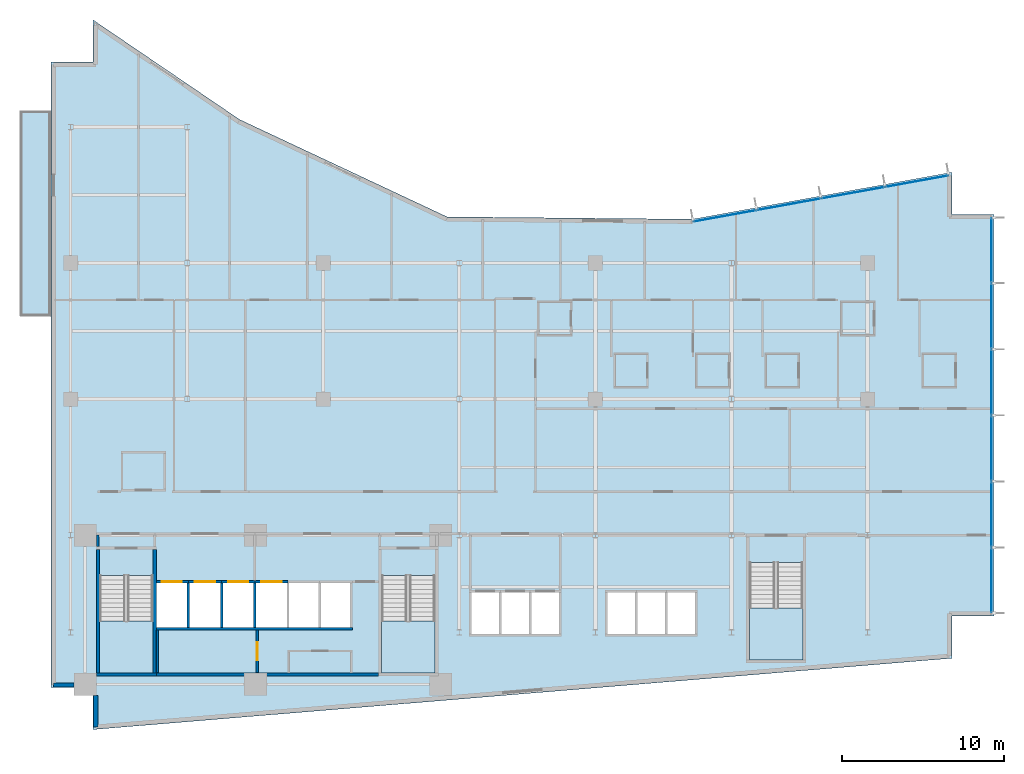
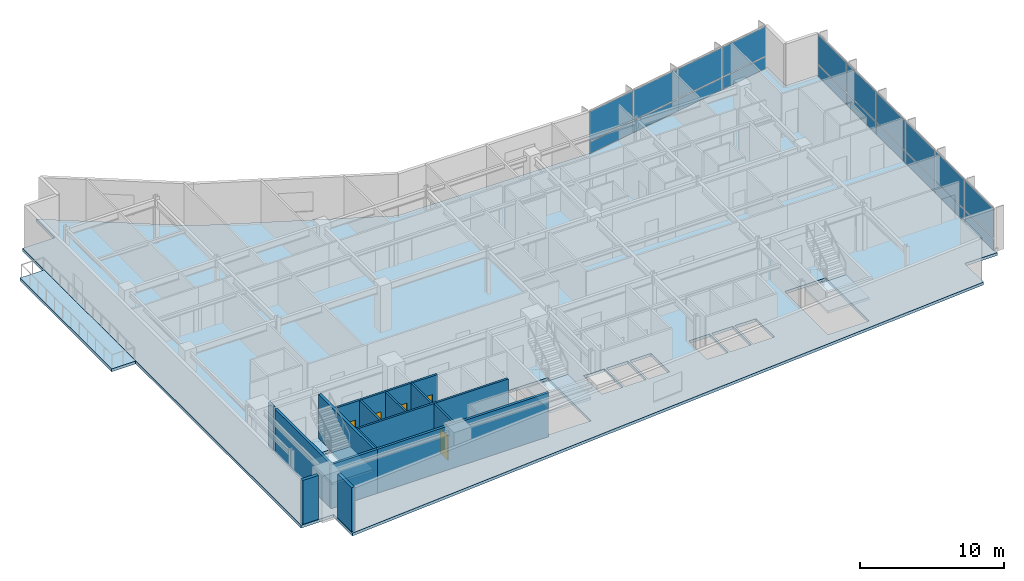
# One storey, part 12 of 22: 20 plates, 17 walls, 5 doors, 5 slabs, 5 openings, 5 elements without a shape of their own.
"""IFC4 building model written with IfcOpenShell, lengths in metres."""

from ifc_helpers import new_model, si_unit, direction, frame, frame_2d, origin, origin_2d, place, context, subcontext, project, spatial, polyline, rectangle, outline, extrude, material, layer, layer_set, type_object, element, fill, aggregate, save


model = new_model("IFC4")

# Units and contexts
model_context = context("Model", 3, precision=1e-05, world=origin(), true_north=direction((0.0, 1.0)))
body_context = subcontext(model_context, "Body", "Model", "MODEL_VIEW")
ifc_project = project(units=[si_unit("LENGTHUNIT", "METRE"), si_unit("AREAUNIT", "SQUARE_METRE"), si_unit("VOLUMEUNIT", "CUBIC_METRE"), si_unit("PLANEANGLEUNIT", "RADIAN"), si_unit("MASSUNIT", "GRAM", prefix="KILO")], contexts=[model_context])

# Site, building, storey
site_placement = place(None, origin())
site = spatial("IfcSite", under=ifc_project, at=site_placement, CompositionType="ELEMENT")
building_placement = place(site_placement, origin())
building = spatial("IfcBuilding", under=site, at=building_placement, Name="Varnakote Quay Hospital", CompositionType="ELEMENT")
storey_placement = place(building_placement, frame((0.0, 0.0, 62.0)))
storey = spatial("IfcBuildingStorey", under=building, at=storey_placement, Name="L15", CompositionType="ELEMENT", Elevation=62.0)

# Curtain wall, plates
ifc_material_1 = material(Name="Anodised aluminium 6063-T6 Bronze", Category="aluminium")
ifc_layer_1 = layer(ifc_material_1, 0.18994140625)
ifc_layer_set_1 = layer_set([ifc_layer_1], Name="Anodised aluminium 6063-T6 Bronze")
curtain_wall_type = type_object("IfcCurtainWallType", Name="CW-SYS-2", PredefinedType="NOTDEFINED", material=ifc_layer_set_1)
curtain_wall_1_placement = place(storey_placement, origin())
curtain_wall_1 = element("IfcCurtainWall", 1, at=curtain_wall_1_placement, inside=storey, type_object=curtain_wall_type, Name="L15 Unitised Bronze Curtain Wall 1", PredefinedType="NOTDEFINED")
ifc_material_2 = material(Name="Double-glazed acoustic laminated glass", Category="glass")
ifc_layer_2 = layer(ifc_material_2, 0.031982421875)
ifc_layer_set_2 = layer_set([ifc_layer_2], Name="Double-glazed acoustic laminated glass")
plate_type = type_object("IfcPlateType", Name="CW-PNL-GLZ-32", PredefinedType="CURTAIN_PANEL", material=ifc_layer_set_2)
plate_1_placement = place(storey_placement, frame((58.0400390625, 9.21875, 0.0751953125), z_axis=(0.0, 0.0, 1.0), x_axis=(0.0, 1.0, 0.0)))
plate_1 = element("IfcPlate", 2, at=plate_1_placement, type_object=plate_type, Name="-2-L15-1 panel 1.1", PredefinedType="CURTAIN_PANEL", context=body_context, shape_type="SweptSolid", body=[
    extrude(rectangle(XDim=3.967529296875, YDim=0.031982421875, at=origin_2d()), origin(), (0.0, 0.0, 1.0), 0.987548828125),
])
plate_2_placement = place(storey_placement, frame((58.0400390625, 9.21875, 1.137451171875), z_axis=(0.0, 0.0, 1.0), x_axis=(0.0, 1.0, 0.0)))
plate_2 = element("IfcPlate", 3, at=plate_2_placement, type_object=plate_type, Name="-2-L15-1 panel 1.2", PredefinedType="CURTAIN_PANEL", context=body_context, shape_type="SweptSolid", body=[
    extrude(rectangle(XDim=3.967529296875, YDim=0.031982421875, at=origin_2d()), origin(), (0.0, 0.0, 1.0), 2.49755859375),
])
plate_3_placement = place(storey_placement, frame((58.0400390625, 13.280029296875, 0.0751953125), z_axis=(0.0, 0.0, 1.0), x_axis=(0.0, 1.0, 0.0)))
plate_3 = element("IfcPlate", 4, at=plate_3_placement, type_object=plate_type, Name="-2-L15-1 panel 2.1", PredefinedType="CURTAIN_PANEL", context=body_context, shape_type="SweptSolid", body=[
    extrude(rectangle(XDim=4.0048828125, YDim=0.031982421875, at=origin_2d()), origin(), (0.0, 0.0, 1.0), 0.987548828125),
])
plate_4_placement = place(storey_placement, frame((58.0400390625, 13.280029296875, 1.137451171875), z_axis=(0.0, 0.0, 1.0), x_axis=(0.0, 1.0, 0.0)))
plate_4 = element("IfcPlate", 5, at=plate_4_placement, type_object=plate_type, Name="-2-L15-1 panel 2.2", PredefinedType="CURTAIN_PANEL", context=body_context, shape_type="SweptSolid", body=[
    extrude(rectangle(XDim=4.0048828125, YDim=0.031982421875, at=origin_2d()), origin(), (0.0, 0.0, 1.0), 2.49755859375),
])
plate_5_placement = place(storey_placement, frame((58.0400390625, 17.360107421875, 0.0751953125), z_axis=(0.0, 0.0, 1.0), x_axis=(0.0, 1.0, 0.0)))
plate_5 = element("IfcPlate", 6, at=plate_5_placement, type_object=plate_type, Name="-2-L15-1 panel 3.1", PredefinedType="CURTAIN_PANEL", context=body_context, shape_type="SweptSolid", body=[
    extrude(rectangle(XDim=4.0048828125, YDim=0.031982421875, at=origin_2d()), origin(), (0.0, 0.0, 1.0), 0.987548828125),
])
plate_6_placement = place(storey_placement, frame((58.0400390625, 17.360107421875, 1.137451171875), z_axis=(0.0, 0.0, 1.0), x_axis=(0.0, 1.0, 0.0)))
plate_6 = element("IfcPlate", 7, at=plate_6_placement, type_object=plate_type, Name="-2-L15-1 panel 3.2", PredefinedType="CURTAIN_PANEL", context=body_context, shape_type="SweptSolid", body=[
    extrude(rectangle(XDim=4.0048828125, YDim=0.031982421875, at=origin_2d()), origin(), (0.0, 0.0, 1.0), 2.49755859375),
])
plate_7_placement = place(storey_placement, frame((58.0400390625, 21.43994140625, 0.0751953125), z_axis=(0.0, 0.0, 1.0), x_axis=(0.0, 1.0, 0.0)))
plate_7 = element("IfcPlate", 8, at=plate_7_placement, type_object=plate_type, Name="-2-L15-1 panel 4.1", PredefinedType="CURTAIN_PANEL", context=body_context, shape_type="SweptSolid", body=[
    extrude(rectangle(XDim=4.0048828125, YDim=0.031982421875, at=origin_2d()), origin(), (0.0, 0.0, 1.0), 0.987548828125),
])
plate_8_placement = place(storey_placement, frame((58.0400390625, 21.43994140625, 1.137451171875), z_axis=(0.0, 0.0, 1.0), x_axis=(0.0, 1.0, 0.0)))
plate_8 = element("IfcPlate", 9, at=plate_8_placement, type_object=plate_type, Name="-2-L15-1 panel 4.2", PredefinedType="CURTAIN_PANEL", context=body_context, shape_type="SweptSolid", body=[
    extrude(rectangle(XDim=4.0048828125, YDim=0.031982421875, at=origin_2d()), origin(), (0.0, 0.0, 1.0), 2.49755859375),
])
plate_9_placement = place(storey_placement, frame((58.0400390625, 25.52001953125, 0.0751953125), z_axis=(0.0, 0.0, 1.0), x_axis=(0.0, 1.0, 0.0)))
plate_9 = element("IfcPlate", 10, at=plate_9_placement, type_object=plate_type, Name="-2-L15-1 panel 5.1", PredefinedType="CURTAIN_PANEL", context=body_context, shape_type="SweptSolid", body=[
    extrude(rectangle(XDim=4.0048828125, YDim=0.031982421875, at=origin_2d()), origin(), (0.0, 0.0, 1.0), 0.987548828125),
])
plate_10_placement = place(storey_placement, frame((58.0400390625, 25.52001953125, 1.137451171875), z_axis=(0.0, 0.0, 1.0), x_axis=(0.0, 1.0, 0.0)))
plate_10 = element("IfcPlate", 11, at=plate_10_placement, type_object=plate_type, Name="-2-L15-1 panel 5.2", PredefinedType="CURTAIN_PANEL", context=body_context, shape_type="SweptSolid", body=[
    extrude(rectangle(XDim=4.0048828125, YDim=0.031982421875, at=origin_2d()), origin(), (0.0, 0.0, 1.0), 2.49755859375),
])
plate_11_placement = place(storey_placement, frame((58.0400390625, 29.581298828125, 0.0751953125), z_axis=(0.0, 0.0, 1.0), x_axis=(0.0, 1.0, 0.0)))
plate_11 = element("IfcPlate", 12, at=plate_11_placement, type_object=plate_type, Name="-2-L15-1 panel 6.1", PredefinedType="CURTAIN_PANEL", context=body_context, shape_type="SweptSolid", body=[
    extrude(rectangle(XDim=3.967529296875, YDim=0.031982421875, at=origin_2d()), origin(), (0.0, 0.0, 1.0), 0.987548828125),
])
plate_12_placement = place(storey_placement, frame((58.0400390625, 29.581298828125, 1.137451171875), z_axis=(0.0, 0.0, 1.0), x_axis=(0.0, 1.0, 0.0)))
plate_12 = element("IfcPlate", 13, at=plate_12_placement, type_object=plate_type, Name="-2-L15-1 panel 6.2", PredefinedType="CURTAIN_PANEL", context=body_context, shape_type="SweptSolid", body=[
    extrude(rectangle(XDim=3.967529296875, YDim=0.031982421875, at=origin_2d()), origin(), (0.0, 0.0, 1.0), 2.49755859375),
])
aggregate(curtain_wall_1, [plate_1, plate_2, plate_3, plate_4, plate_5, plate_6, plate_7, plate_8, plate_9, plate_10, plate_11, plate_12])

curtain_wall_2_placement = place(storey_placement, origin())
curtain_wall_2 = element("IfcCurtainWall", 14, at=curtain_wall_2_placement, inside=storey, type_object=curtain_wall_type, Name="L15 Unitised Bronze Curtain Wall 2", PredefinedType="NOTDEFINED")
plate_13_placement = place(storey_placement, frame((53.440185546875, 33.84716796875, 0.0751953125), z_axis=(0.0, 0.0, 1.0), x_axis=(-0.984058295766, -0.177846199098, 0.0)))
plate_13 = element("IfcPlate", 15, at=plate_13_placement, type_object=plate_type, Name="-2-L15-2 panel 1.1", PredefinedType="CURTAIN_PANEL", context=body_context, shape_type="SweptSolid", body=[
    extrude(rectangle(XDim=3.914306640625, YDim=0.031982421875, at=origin_2d()), origin(), (0.0, 0.0, 1.0), 0.987548828125),
])
plate_14_placement = place(storey_placement, frame((53.440185546875, 33.84716796875, 1.137451171875), z_axis=(0.0, 0.0, 1.0), x_axis=(-0.984058295766, -0.177846199098, 0.0)))
plate_14 = element("IfcPlate", 16, at=plate_14_placement, type_object=plate_type, Name="-2-L15-2 panel 1.2", PredefinedType="CURTAIN_PANEL", context=body_context, shape_type="SweptSolid", body=[
    extrude(rectangle(XDim=3.914306640625, YDim=0.031982421875, at=origin_2d()), origin(), (0.0, 0.0, 1.0), 2.49755859375),
])
plate_15_placement = place(storey_placement, frame((49.49609375, 33.13427734375, 0.0751953125), z_axis=(0.0, 0.0, 1.0), x_axis=(-0.984058295766, -0.177846199098, 0.0)))
plate_15 = element("IfcPlate", 17, at=plate_15_placement, type_object=plate_type, Name="-2-L15-2 panel 2.1", PredefinedType="CURTAIN_PANEL", context=body_context, shape_type="SweptSolid", body=[
    extrude(rectangle(XDim=3.951904296875, YDim=0.031982421875, at=origin_2d()), origin(), (0.0, 0.0, 1.0), 0.987548828125),
])
plate_16_placement = place(storey_placement, frame((49.49609375, 33.13427734375, 1.137451171875), z_axis=(0.0, 0.0, 1.0), x_axis=(-0.984058295766, -0.177846199098, 0.0)))
plate_16 = element("IfcPlate", 18, at=plate_16_placement, type_object=plate_type, Name="-2-L15-2 panel 2.2", PredefinedType="CURTAIN_PANEL", context=body_context, shape_type="SweptSolid", body=[
    extrude(rectangle(XDim=3.951904296875, YDim=0.031982421875, at=origin_2d()), origin(), (0.0, 0.0, 1.0), 2.49755859375),
])
plate_17_placement = place(storey_placement, frame((45.533447265625, 32.418212890625, 0.0751953125), z_axis=(0.0, 0.0, 1.0), x_axis=(-0.984058295766, -0.177846199098, 0.0)))
plate_17 = element("IfcPlate", 19, at=plate_17_placement, type_object=plate_type, Name="-2-L15-2 panel 3.1", PredefinedType="CURTAIN_PANEL", context=body_context, shape_type="SweptSolid", body=[
    extrude(rectangle(XDim=3.951904296875, YDim=0.031982421875, at=origin_2d()), origin(), (0.0, 0.0, 1.0), 0.987548828125),
])
plate_18_placement = place(storey_placement, frame((45.533447265625, 32.418212890625, 1.137451171875), z_axis=(0.0, 0.0, 1.0), x_axis=(-0.984058295766, -0.177846199098, 0.0)))
plate_18 = element("IfcPlate", 20, at=plate_18_placement, type_object=plate_type, Name="-2-L15-2 panel 3.2", PredefinedType="CURTAIN_PANEL", context=body_context, shape_type="SweptSolid", body=[
    extrude(rectangle(XDim=3.951904296875, YDim=0.031982421875, at=origin_2d()), origin(), (0.0, 0.0, 1.0), 2.49755859375),
])
plate_19_placement = place(storey_placement, frame((41.58935546875, 31.705322265625, 0.0751953125), z_axis=(0.0, 0.0, 1.0), x_axis=(-0.984058295766, -0.177846199098, 0.0)))
plate_19 = element("IfcPlate", 21, at=plate_19_placement, type_object=plate_type, Name="-2-L15-2 panel 4.1", PredefinedType="CURTAIN_PANEL", context=body_context, shape_type="SweptSolid", body=[
    extrude(rectangle(XDim=3.914306640625, YDim=0.031982421875, at=origin_2d()), origin(), (0.0, 0.0, 1.0), 0.987548828125),
])
plate_20_placement = place(storey_placement, frame((41.58935546875, 31.705322265625, 1.137451171875), z_axis=(0.0, 0.0, 1.0), x_axis=(-0.984058295766, -0.177846199098, 0.0)))
plate_20 = element("IfcPlate", 22, at=plate_20_placement, type_object=plate_type, Name="-2-L15-2 panel 4.2", PredefinedType="CURTAIN_PANEL", context=body_context, shape_type="SweptSolid", body=[
    extrude(rectangle(XDim=3.914306640625, YDim=0.031982421875, at=origin_2d()), origin(), (0.0, 0.0, 1.0), 2.49755859375),
])
aggregate(curtain_wall_2, [plate_13, plate_14, plate_15, plate_16, plate_17, plate_18, plate_19, plate_20])

# Stair, slab
ifc_material_3 = material(Name="Concrete N40 (f'c 40 MPa)", Category="concrete")
stair_type = type_object("IfcStairType", Name="STR-CORE-1580", PredefinedType="HALF_TURN_STAIR", material=ifc_material_3)
stair_1_placement = place(storey_placement, origin())
stair_1 = element("IfcStair", 23, at=stair_1_placement, inside=storey, type_object=stair_type, Name="L15 Fire-Isolated Exit Stair ST-01", PredefinedType="HALF_TURN_STAIR")
ifc_material_4 = material(Name="Concrete N40 (f'c 40 MPa)", Category="concrete")
ifc_layer_3 = layer(ifc_material_4, 0.199951171875)
ifc_layer_set_3 = layer_set([ifc_layer_3], Name="Concrete N40 (f'c 40 MPa)")
slab_type_1 = type_object("IfcSlabType", Name="SLB-STAIR-LND-200", PredefinedType="LANDING", material=ifc_layer_set_3)
slab_1_placement = place(storey_placement, frame((0.0, 0.0, 1.77490234375)))
slab_1 = element("IfcSlab", 24, at=slab_1_placement, type_object=slab_type_1, Name="ST-01 landing 1", PredefinedType="LANDING", context=body_context, shape_type="SweptSolid", body=[
    extrude(outline(polyline([(3.0, 6.699951171875), (3.0, 3.5), (6.300048828125, 3.5), (6.300048828125, 6.699951171875), (3.0, 6.699951171875)])), origin(), (0.0, 0.0, 1.0), 0.2001953125),
])
aggregate(stair_1, [slab_1])

stair_2_placement = place(storey_placement, origin())
stair_2 = element("IfcStair", 25, at=stair_2_placement, inside=storey, type_object=stair_type, Name="L15 Fire-Isolated Exit Stair ST-02", PredefinedType="HALF_TURN_STAIR")
slab_2_placement = place(storey_placement, frame((0.0, 0.0, 1.77490234375)))
slab_2 = element("IfcSlab", 26, at=slab_2_placement, type_object=slab_type_1, Name="ST-02 landing 1", PredefinedType="LANDING", context=body_context, shape_type="SweptSolid", body=[
    extrude(outline(polyline([(20.39990234375, 6.699951171875), (20.39990234375, 3.5), (23.699951171875, 3.5), (23.699951171875, 6.699951171875), (20.39990234375, 6.699951171875)])), origin(), (0.0, 0.0, 1.0), 0.2001953125),
])
aggregate(stair_2, [slab_2])

stair_3_placement = place(storey_placement, origin())
stair_3 = element("IfcStair", 27, at=stair_3_placement, inside=storey, type_object=stair_type, Name="L15 Fire-Isolated Exit Stair ST-03", PredefinedType="HALF_TURN_STAIR")
slab_3_placement = place(storey_placement, frame((0.0, 0.0, 1.77490234375)))
slab_3 = element("IfcSlab", 28, at=slab_3_placement, type_object=slab_type_1, Name="ST-03 landing 1", PredefinedType="LANDING", context=body_context, shape_type="SweptSolid", body=[
    extrude(outline(polyline([(43.10009765625, 7.5), (43.10009765625, 4.300048828125), (46.39990234375, 4.300048828125), (46.39990234375, 7.5), (43.10009765625, 7.5)])), origin(), (0.0, 0.0, 1.0), 0.2001953125),
])
aggregate(stair_3, [slab_3])

# Slabs
ifc_material_5 = material(Name="Concrete N50 (f'c 50 MPa)", Category="concrete")
ifc_layer_4 = layer(ifc_material_5, 0.239990234375)
ifc_layer_set_4 = layer_set([ifc_layer_4], Name="Concrete N50 (f'c 50 MPa)")
slab_type_2 = type_object("IfcSlabType", Name="SLB-TERR-200", PredefinedType="FLOOR", material=ifc_layer_set_4)
slab_4_placement = place(storey_placement, frame((0.0, 0.0, -0.239990234375)))
element("IfcSlab", 29, at=slab_4_placement, inside=storey, type_object=slab_type_2, Name="L15 Waterfront Healing Terrace Slab", PredefinedType="FLOOR", context=body_context, shape_type="SweptSolid", body=[
    extrude(outline(polyline([(0.00390625, 25.5), (0.00390625, 38.199951171875), (-1.919921875, 38.199951171875), (-1.919921875, 25.5), (0.00390625, 25.5)])), origin(), (0.0, 0.0, 1.0), 0.239990234375),
])
ifc_material_6 = material(Name="Concrete N50 (f'c 50 MPa)", Category="concrete")
ifc_layer_5 = layer(ifc_material_6, 0.239990234375)
ifc_layer_set_5 = layer_set([ifc_layer_5], Name="Concrete N50 (f'c 50 MPa)")
slab_type_3 = type_object("IfcSlabType", Name="SLB-WARD-200", PredefinedType="FLOOR", material=ifc_layer_set_5)
slab_5_placement = place(storey_placement, frame((0.0, 0.0, -0.239990234375)))
element("IfcSlab", 30, at=slab_5_placement, inside=storey, type_object=slab_type_3, Name="L15 Primary Floor Slab", PredefinedType="FLOOR", context=body_context, shape_type="SweptSolid", body=[
    extrude(outline(polyline([(0.0, 2.60009765625), (2.60009765625, 2.60009765625), (2.60009765625, 0.0), (55.60009765625, 4.39990234375), (55.60009765625, 7.0), (58.199951171875, 7.0), (58.199951171875, 31.800048828125), (55.60009765625, 31.800048828125), (55.60009765625, 34.39990234375), (39.575927734375, 31.50390625), (24.444091796875, 31.652099609375), (11.639892578125, 37.656005859375), (2.60009765625, 43.800048828125), (2.60009765625, 41.199951171875), (0.0, 41.199951171875), (0.0, 2.60009765625)]), holes=[polyline([(3.0, 3.5), (6.300048828125, 3.5), (6.300048828125, 9.49951171875), (3.0, 9.49951171875), (3.0, 3.5)]), polyline([(20.39990234375, 3.5), (23.699951171875, 3.5), (23.699951171875, 9.49951171875), (20.39990234375, 9.49951171875), (20.39990234375, 3.5)]), polyline([(43.10009765625, 4.300048828125), (46.39990234375, 4.300048828125), (46.39990234375, 10.29931640625), (43.10009765625, 10.29931640625), (43.10009765625, 4.300048828125)]), polyline([(6.5, 6.300048828125), (8.39990234375, 6.300048828125), (8.39990234375, 9.050048828125), (6.5, 9.050048828125), (6.5, 6.300048828125)]), polyline([(8.550048828125, 6.300048828125), (10.449951171875, 6.300048828125), (10.449951171875, 9.050048828125), (8.550048828125, 9.050048828125), (8.550048828125, 6.300048828125)]), polyline([(10.60009765625, 6.300048828125), (12.5, 6.300048828125), (12.5, 9.050048828125), (10.60009765625, 9.050048828125), (10.60009765625, 6.300048828125)]), polyline([(12.64990234375, 6.300048828125), (14.550048828125, 6.300048828125), (14.550048828125, 9.050048828125), (12.64990234375, 9.050048828125), (12.64990234375, 6.300048828125)]), polyline([(14.699951171875, 6.300048828125), (16.5, 6.300048828125), (16.5, 9.050048828125), (14.699951171875, 9.050048828125), (14.699951171875, 6.300048828125)]), polyline([(16.64990234375, 6.300048828125), (18.449951171875, 6.300048828125), (18.449951171875, 9.050048828125), (16.64990234375, 9.050048828125), (16.64990234375, 6.300048828125)]), polyline([(25.949951171875, 5.89990234375), (27.64990234375, 5.89990234375), (27.64990234375, 8.449951171875), (25.949951171875, 8.449951171875), (25.949951171875, 5.89990234375)]), polyline([(27.800048828125, 5.89990234375), (29.5, 5.89990234375), (29.5, 8.449951171875), (27.800048828125, 8.449951171875), (27.800048828125, 5.89990234375)]), polyline([(29.64990234375, 5.89990234375), (31.35009765625, 5.89990234375), (31.35009765625, 8.449951171875), (29.64990234375, 8.449951171875), (29.64990234375, 5.89990234375)]), polyline([(34.35009765625, 5.89990234375), (36.050048828125, 5.89990234375), (36.050048828125, 8.449951171875), (34.35009765625, 8.449951171875), (34.35009765625, 5.89990234375)]), polyline([(36.199951171875, 5.89990234375), (37.89990234375, 5.89990234375), (37.89990234375, 8.449951171875), (36.199951171875, 8.449951171875), (36.199951171875, 5.89990234375)]), polyline([(38.050048828125, 5.89990234375), (39.75, 5.89990234375), (39.75, 8.449951171875), (38.050048828125, 8.449951171875), (38.050048828125, 5.89990234375)])]), origin(), (0.0, 0.0, 1.0), 0.239990234375),
])

# Walls
ifc_material_7 = material(Name="Fire-rated acoustic gypsum stud wall", Category="gypsum")
ifc_layer_6 = layer(ifc_material_7, 0.159912109375)
ifc_layer_set_6 = layer_set([ifc_layer_6], Name="Fire-rated acoustic gypsum stud wall")
wall_type_1 = type_object("IfcWallType", Name="WL-COMP-160", PredefinedType="PARTITIONING", material=ifc_layer_set_6)
wall_1_placement = place(storey_placement, frame((2.8798828125, 11.300048828125, 0.0), z_axis=(0.0, 0.0, 1.0), x_axis=(0.0, 1.0, 0.0)))
element("IfcWall", 31, at=wall_1_placement, inside=storey, type_object=wall_type_1, Name="L15 West Stair Vestibule West Wall", PredefinedType="PARTITIONING", context=body_context, shape_type="SweptSolid", body=[
    extrude(rectangle(XDim=0.699951171875, YDim=0.159912109375, at=frame_2d((0.35009765625, 0.0))), origin(), (0.0, 0.0, 1.0), 3.7099609375),
])
ifc_material_8 = material(Name="Concrete N80 (f'c 80 MPa)", Category="concrete")
ifc_layer_7 = layer(ifc_material_8, 0.199951171875)
ifc_layer_set_7 = layer_set([ifc_layer_7], Name="Concrete N80 (f'c 80 MPa)")
wall_type_2 = type_object("IfcWallType", Name="WL-CORE-N80-200", PredefinedType="SHEAR", material=ifc_layer_set_7)
wall_2_placement = place(storey_placement, frame((6.5, 3.39990234375, 0.0), z_axis=(0.0, 0.0, 1.0), x_axis=(1.0, 0.0, 0.0)))
element("IfcWall", 32, at=wall_2_placement, inside=storey, type_object=wall_type_2, Name="L15 Rear Core South Shear Wall", PredefinedType="SHEAR", context=body_context, shape_type="SweptSolid", body=[
    extrude(rectangle(XDim=13.699951171875, YDim=0.199951171875, at=frame_2d((6.85009765625, 0.0))), origin(), (0.0, 0.0, 1.0), 3.7099609375),
])
ifc_material_9 = material(Name="Precast concrete N50 (f'c 50 MPa)", Category="concrete")
ifc_layer_8 = layer(ifc_material_9, 0.260009765625)
ifc_layer_set_8 = layer_set([ifc_layer_8], Name="Precast concrete N50 (f'c 50 MPa)")
wall_type_3 = type_object("IfcWallType", Name="WL-EXT-BRICK-260", PredefinedType="STANDARD", material=ifc_layer_set_8)
wall_3_placement = place(storey_placement, frame((2.760009765625, 2.114990234375, 0.0), z_axis=(0.0, 0.0, 1.0), x_axis=(0.0, -1.0, 0.0)))
element("IfcWall", 33, at=wall_3_placement, inside=storey, type_object=wall_type_3, Name="L15 Brick-Faced Precast Exterior Wall", PredefinedType="STANDARD", context=body_context, shape_type="SweptSolid", body=[
    extrude(rectangle(XDim=1.941162109375, YDim=0.260009765625, at=frame_2d((0.970703125, 0.0))), origin(), (0.0, 0.0, 1.0), 3.7099609375),
])
wall_4_placement = place(storey_placement, frame((0.159912109375, 2.760009765625, 0.0), z_axis=(0.0, 0.0, 1.0), x_axis=(1.0, 0.0, 0.0)))
element("IfcWall", 34, at=wall_4_placement, inside=storey, type_object=wall_type_3, Name="L15 Brick-Faced Precast Exterior Wall", PredefinedType="STANDARD", context=body_context, shape_type="SweptSolid", body=[
    extrude(rectangle(XDim=1.255126953125, YDim=0.260009765625, at=frame_2d((0.62744140625, 0.0))), origin(), (0.0, 0.0, 1.0), 3.7099609375),
])
ifc_material_10 = material(Name="Concrete N50 (f'c 50 MPa)", Category="concrete")
ifc_layer_9 = layer(ifc_material_10, 0.14990234375)
ifc_layer_set_9 = layer_set([ifc_layer_9], Name="Concrete N50 (f'c 50 MPa)")
wall_type_4 = type_object("IfcWallType", Name="WL-SHAFT-N50-150", PredefinedType="SHEAR", material=ifc_layer_set_9)
for number, where, z_axis, x_axis, name in (
    (35, (8.47509765625, 6.300048828125, 0.0), (0.0, 0.0, 1.0), (0.0, 1.0, 0.0), "L15 LF-FF1 Hoistway Divider Wall"),
    (36, (10.52490234375, 6.300048828125, 0.0), (0.0, 0.0, 1.0), (0.0, 1.0, 0.0), "L15 LF-FF2 Hoistway Divider Wall"),
    (37, (12.574951171875, 6.300048828125, 0.0), (0.0, 0.0, 1.0), (0.0, 1.0, 0.0), "L15 LF-SV1 Hoistway Divider Wall"),
):
    element("IfcWall", number, at=place(storey_placement, frame(where, z_axis=z_axis, x_axis=x_axis)), inside=storey, type_object=wall_type_4, Name=name, PredefinedType="SHEAR", context=body_context, shape_type="SweptSolid", body=[
        extrude(rectangle(XDim=2.75, YDim=0.14990234375, at=frame_2d((1.375, 0.0))), origin(), (0.0, 0.0, 1.0), 3.7099609375),
    ])
ifc_material_11 = material(Name="Concrete N50 (f'c 50 MPa)", Category="concrete")
ifc_layer_10 = layer(ifc_material_11, 0.159912109375)
ifc_layer_set_10 = layer_set([ifc_layer_10], Name="Concrete N50 (f'c 50 MPa)")
wall_type_5 = type_object("IfcWallType", Name="WL-SHAFT-N50-160", PredefinedType="SHEAR", material=ifc_layer_set_10)
wall_5_placement = place(storey_placement, frame((6.5, 6.219970703125, 0.0), z_axis=(0.0, 0.0, 1.0), x_axis=(1.0, 0.0, 0.0)))
element("IfcWall", 38, at=wall_5_placement, inside=storey, type_object=wall_type_5, Name="L15 REAR Lift Bank Back Shear Wall", PredefinedType="SHEAR", context=body_context, shape_type="SweptSolid", body=[
    extrude(rectangle(XDim=12.110107421875, YDim=0.159912109375, at=frame_2d((6.05517578125, 0.0))), origin(), (0.0, 0.0, 1.0), 3.7099609375),
])

# Wall, opening, door
wall_6_placement = place(storey_placement, frame((6.5, 9.1298828125, 0.0), z_axis=(0.0, 0.0, 1.0), x_axis=(1.0, 0.0, 0.0)))
wall_6 = element("IfcWall", 39, at=wall_6_placement, inside=storey, type_object=wall_type_5, Name="L15 LF-FF1 Hoistway Front Wall", PredefinedType="SHEAR", context=body_context, shape_type="SweptSolid", body=[
    extrude(rectangle(XDim=1.97509765625, YDim=0.159912109375, at=frame_2d((0.987548828125, 0.0))), origin(), (0.0, 0.0, 1.0), 3.7099609375),
])
opening_1_placement = place(wall_6_placement, frame((0.324951171875, 0.0, 0.0)))
opening_1 = element("IfcOpeningElement", 40, at=opening_1_placement, cuts=wall_6, Name="Opening LD-FF1-L15", PredefinedType="OPENING", context=body_context, shape_type="SweptSolid", body=[
    extrude(rectangle(XDim=1.25, YDim=2.14990234375, at=frame_2d((0.625, 1.074951171875))), frame((0.0, 0.08984375, 0.0), z_axis=(0.0, -1.0, 0.0), x_axis=(1.0, 0.0, 0.0)), (0.0, 0.0, 1.0), 0.179931640625),
])
ifc_material_12 = material(Name="Stainless steel lift landing sliding door", Category="steel")
door_type_1 = type_object("IfcDoorType", Name="DR-LIFT-LD-1250x2150", OperationType="NOTDEFINED", PredefinedType="DOOR", material=ifc_material_12)
door_1_placement = place(opening_1_placement, origin())
door_1 = element("IfcDoor", 41, at=door_1_placement, inside=storey, type_object=door_type_1, Name="L15 LF-FF1 Lift Landing Sliding Door", OperationType="SLIDING_TO_LEFT", OverallHeight=2.14990234375, OverallWidth=1.25, PredefinedType="DOOR", context=body_context, shape_type="SweptSolid", body=[
    extrude(rectangle(XDim=1.25, YDim=2.14990234375, at=frame_2d((0.625, 1.074951171875))), frame((0.0, 0.02490234375, 0.0), z_axis=(0.0, -1.0, 0.0), x_axis=(1.0, 0.0, 0.0)), (0.0, 0.0, 1.0), 0.050048828125),
])
fill(opening_1, door_1)

wall_7_placement = place(storey_placement, frame((8.47509765625, 9.1298828125, 0.0), z_axis=(0.0, 0.0, 1.0), x_axis=(1.0, 0.0, 0.0)))
wall_7 = element("IfcWall", 42, at=wall_7_placement, inside=storey, type_object=wall_type_5, Name="L15 LF-FF2 Hoistway Front Wall", PredefinedType="SHEAR", context=body_context, shape_type="SweptSolid", body=[
    extrude(rectangle(XDim=2.0498046875, YDim=0.159912109375, at=frame_2d((1.02490234375, 0.0))), origin(), (0.0, 0.0, 1.0), 3.7099609375),
])
opening_2_placement = place(wall_7_placement, frame((0.39990234375, 0.0, 0.0)))
opening_2 = element("IfcOpeningElement", 43, at=opening_2_placement, cuts=wall_7, Name="Opening LD-FF2-L15", PredefinedType="OPENING", context=body_context, shape_type="SweptSolid", body=[
    extrude(rectangle(XDim=1.25, YDim=2.14990234375, at=frame_2d((0.625, 1.074951171875))), frame((0.0, 0.08984375, 0.0), z_axis=(0.0, -1.0, 0.0), x_axis=(1.0, 0.0, 0.0)), (0.0, 0.0, 1.0), 0.179931640625),
])
door_2_placement = place(opening_2_placement, origin())
door_2 = element("IfcDoor", 44, at=door_2_placement, inside=storey, type_object=door_type_1, Name="L15 LF-FF2 Lift Landing Sliding Door", OperationType="SLIDING_TO_LEFT", OverallHeight=2.14990234375, OverallWidth=1.25, PredefinedType="DOOR", context=body_context, shape_type="SweptSolid", body=[
    extrude(rectangle(XDim=1.25, YDim=2.14990234375, at=frame_2d((0.625, 1.074951171875))), frame((0.0, 0.02490234375, 0.0), z_axis=(0.0, -1.0, 0.0), x_axis=(1.0, 0.0, 0.0)), (0.0, 0.0, 1.0), 0.050048828125),
])
fill(opening_2, door_2)

wall_8_placement = place(storey_placement, frame((10.52490234375, 9.1298828125, 0.0), z_axis=(0.0, 0.0, 1.0), x_axis=(1.0, 0.0, 0.0)))
wall_8 = element("IfcWall", 45, at=wall_8_placement, inside=storey, type_object=wall_type_5, Name="L15 LF-SV1 Hoistway Front Wall", PredefinedType="SHEAR", context=body_context, shape_type="SweptSolid", body=[
    extrude(rectangle(XDim=2.050048828125, YDim=0.159912109375, at=frame_2d((1.02490234375, 0.0))), origin(), (0.0, 0.0, 1.0), 3.7099609375),
])
opening_3_placement = place(wall_8_placement, frame((0.39990234375, 0.0, 0.0)))
opening_3 = element("IfcOpeningElement", 46, at=opening_3_placement, cuts=wall_8, Name="Opening LD-SV1-L15", PredefinedType="OPENING", context=body_context, shape_type="SweptSolid", body=[
    extrude(rectangle(XDim=1.25, YDim=2.14990234375, at=frame_2d((0.625, 1.074951171875))), frame((0.0, 0.08984375, 0.0), z_axis=(0.0, -1.0, 0.0), x_axis=(1.0, 0.0, 0.0)), (0.0, 0.0, 1.0), 0.179931640625),
])
door_3_placement = place(opening_3_placement, origin())
door_3 = element("IfcDoor", 47, at=door_3_placement, inside=storey, type_object=door_type_1, Name="L15 LF-SV1 Lift Landing Sliding Door", OperationType="SLIDING_TO_LEFT", OverallHeight=2.14990234375, OverallWidth=1.25, PredefinedType="DOOR", context=body_context, shape_type="SweptSolid", body=[
    extrude(rectangle(XDim=1.25, YDim=2.14990234375, at=frame_2d((0.625, 1.074951171875))), frame((0.0, 0.02490234375, 0.0), z_axis=(0.0, -1.0, 0.0), x_axis=(1.0, 0.0, 0.0)), (0.0, 0.0, 1.0), 0.050048828125),
])
fill(opening_3, door_3)

wall_9_placement = place(storey_placement, frame((12.574951171875, 9.1298828125, 0.0), z_axis=(0.0, 0.0, 1.0), x_axis=(1.0, 0.0, 0.0)))
wall_9 = element("IfcWall", 48, at=wall_9_placement, inside=storey, type_object=wall_type_5, Name="L15 LF-SV2 Hoistway Front Wall", PredefinedType="SHEAR", context=body_context, shape_type="SweptSolid", body=[
    extrude(rectangle(XDim=2.050048828125, YDim=0.159912109375, at=frame_2d((1.02490234375, 0.0))), origin(), (0.0, 0.0, 1.0), 3.7099609375),
])
opening_4_placement = place(wall_9_placement, frame((0.39990234375, 0.0, 0.0)))
opening_4 = element("IfcOpeningElement", 49, at=opening_4_placement, cuts=wall_9, Name="Opening LD-SV2-L15", PredefinedType="OPENING", context=body_context, shape_type="SweptSolid", body=[
    extrude(rectangle(XDim=1.25, YDim=2.14990234375, at=frame_2d((0.625, 1.074951171875))), frame((0.0, 0.08984375, 0.0), z_axis=(0.0, -1.0, 0.0), x_axis=(1.0, 0.0, 0.0)), (0.0, 0.0, 1.0), 0.179931640625),
])
door_4_placement = place(opening_4_placement, origin())
door_4 = element("IfcDoor", 50, at=door_4_placement, inside=storey, type_object=door_type_1, Name="L15 LF-SV2 Lift Landing Sliding Door", OperationType="SLIDING_TO_LEFT", OverallHeight=2.14990234375, OverallWidth=1.25, PredefinedType="DOOR", context=body_context, shape_type="SweptSolid", body=[
    extrude(rectangle(XDim=1.25, YDim=2.14990234375, at=frame_2d((0.625, 1.074951171875))), frame((0.0, 0.02490234375, 0.0), z_axis=(0.0, -1.0, 0.0), x_axis=(1.0, 0.0, 0.0)), (0.0, 0.0, 1.0), 0.050048828125),
])
fill(opening_4, door_4)

# Walls
ifc_material_13 = material(Name="Concrete N50 (f'c 50 MPa)", Category="concrete")
ifc_layer_11 = layer(ifc_material_13, 0.199951171875)
ifc_layer_set_11 = layer_set([ifc_layer_11], Name="Concrete N50 (f'c 50 MPa)")
wall_type_6 = type_object("IfcWallType", Name="WL-SHAFT-N50-200", PredefinedType="SHEAR", material=ifc_layer_set_11)
wall_10_placement = place(storey_placement, frame((2.800048828125, 3.39990234375, 0.0), z_axis=(0.0, 0.0, 1.0), x_axis=(1.0, 0.0, 0.0)))
element("IfcWall", 51, at=wall_10_placement, inside=storey, type_object=wall_type_6, Name="L15 Stair ST1 South Shaft Wall", PredefinedType="SHEAR", context=body_context, shape_type="SweptSolid", body=[
    extrude(rectangle(XDim=3.699951171875, YDim=0.199951171875, at=frame_2d((1.85009765625, 0.0))), origin(), (0.0, 0.0, 1.0), 3.7099609375),
])
for number, where, z_axis, x_axis, name in (
    (52, (2.89990234375, 3.5, 0.0), (0.0, 0.0, 1.0), (0.0, 1.0, 0.0), "L15 Stair ST1 West Shaft Wall"),
    (53, (6.39990234375, 3.5, 0.0), (0.0, 0.0, 1.0), (0.0, 1.0, 0.0), "L15 Stair ST1 East Shaft Wall"),
):
    element("IfcWall", number, at=place(storey_placement, frame(where, z_axis=z_axis, x_axis=x_axis)), inside=storey, type_object=wall_type_6, Name=name, PredefinedType="SHEAR", context=body_context, shape_type="SweptSolid", body=[
        extrude(rectangle(XDim=7.60009765625, YDim=0.199951171875, at=frame_2d((3.800048828125, 0.0))), origin(), (0.0, 0.0, 1.0), 3.7099609375),
    ])
ifc_material_14 = material(Name="Smoke-proof clinical partition", Category="gypsum")
ifc_layer_12 = layer(ifc_material_14, 0.1201171875)
ifc_layer_set_12 = layer_set([ifc_layer_12], Name="Smoke-proof clinical partition")
wall_type_7 = type_object("IfcWallType", Name="WL-SMOKE-120", PredefinedType="PARTITIONING", material=ifc_layer_set_12)
wall_11_placement = place(storey_placement, frame((6.56005859375, 3.52001953125, 0.0), z_axis=(0.0, 0.0, 1.0), x_axis=(0.0, 1.0, 0.0)))
element("IfcWall", 54, at=wall_11_placement, inside=storey, type_object=wall_type_7, Name="L15 Core West Store West Wall", PredefinedType="PARTITIONING", context=body_context, shape_type="SweptSolid", body=[
    extrude(rectangle(XDim=2.619873046875, YDim=0.1201171875, at=frame_2d((1.31005859375, 0.0))), origin(), (0.0, 0.0, 1.0), 3.7099609375),
])

# Wall, opening, door
ifc_material_15 = material(Name="Fire-rated clinical gypsum partition", Category="gypsum")
ifc_layer_13 = layer(ifc_material_15, 0.139892578125)
ifc_layer_set_13 = layer_set([ifc_layer_13], Name="Fire-rated clinical gypsum partition")
wall_type_8 = type_object("IfcWallType", Name="WL-WARD-140", PredefinedType="PARTITIONING", material=ifc_layer_set_13)
wall_12_placement = place(storey_placement, frame((12.72998046875, 3.52001953125, 0.0), z_axis=(0.0, 0.0, 1.0), x_axis=(0.0, 1.0, 0.0)))
wall_12 = element("IfcWall", 55, at=wall_12_placement, inside=storey, type_object=wall_type_8, Name="L15 Core Clean Equipment Store East Wall", PredefinedType="PARTITIONING", context=body_context, shape_type="SweptSolid", body=[
    extrude(rectangle(XDim=2.619873046875, YDim=0.139892578125, at=frame_2d((1.31005859375, 0.0))), origin(), (0.0, 0.0, 1.0), 3.7099609375),
])
opening_5_placement = place(wall_12_placement, frame((0.760009765625, 0.0, 0.0)))
opening_5 = element("IfcOpeningElement", 56, at=opening_5_placement, cuts=wall_12, Name="Opening D-L15-CR01", PredefinedType="OPENING", context=body_context, shape_type="SweptSolid", body=[
    extrude(rectangle(XDim=1.10009765625, YDim=2.10009765625, at=frame_2d((0.550048828125, 1.050048828125))), frame((0.0, 0.079833984375, 0.0), z_axis=(0.0, -1.0, 0.0), x_axis=(1.0, 0.0, 0.0)), (0.0, 0.0, 1.0), 0.159912109375),
])
ifc_material_16 = material(Name="Acoustic timber clinical consult door", Category="wood")
door_type_2 = type_object("IfcDoorType", Name="DR-CLIN-FD30S-1100x2100", OperationType="NOTDEFINED", PredefinedType="DOOR", material=ifc_material_16)
door_5_placement = place(opening_5_placement, origin())
door_5 = element("IfcDoor", 57, at=door_5_placement, inside=storey, type_object=door_type_2, Name="L15 Core Clean Equipment Store Door", OperationType="SINGLE_SWING_LEFT", OverallHeight=2.10009765625, OverallWidth=1.10009765625, PredefinedType="DOOR", context=body_context, shape_type="SweptSolid", body=[
    extrude(rectangle(XDim=1.10009765625, YDim=2.10009765625, at=frame_2d((0.550048828125, 1.050048828125))), frame((0.0, 0.02490234375, 0.0), z_axis=(0.0, -1.0, 0.0), x_axis=(1.0, 0.0, 0.0)), (0.0, 0.0, 1.0), 0.050048828125),
])
fill(opening_5, door_5)

save(model, "model.ifc")
